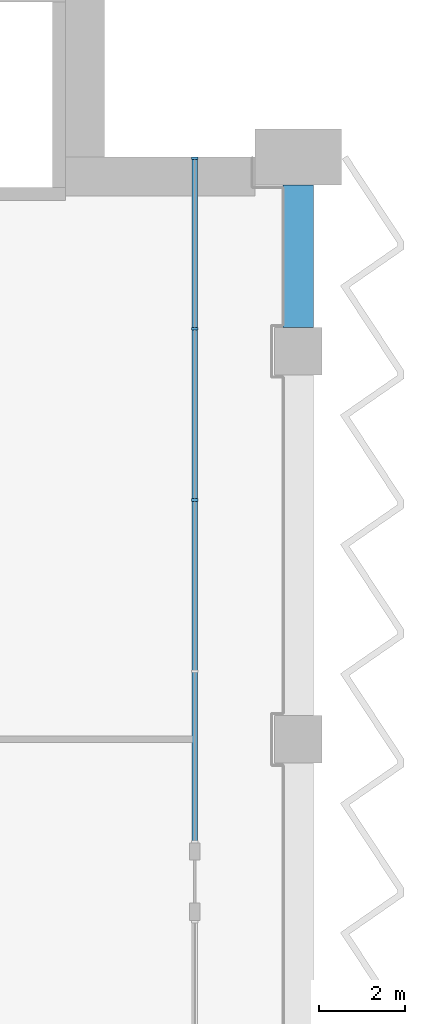
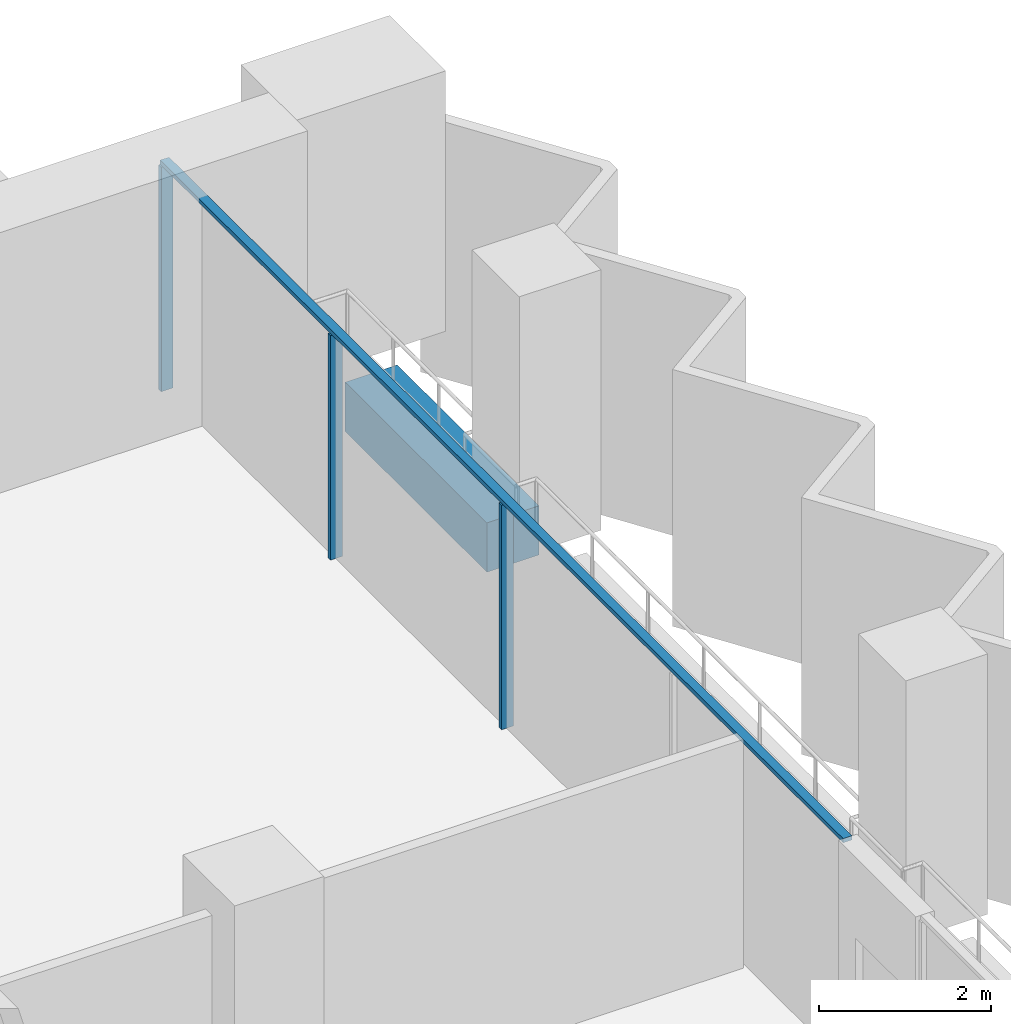
# One storey, part 7 of 22: 4 members, 1 beam, 1 element without a shape of its own.
"""IFC4 building model written with IfcOpenShell, lengths in metres."""

from ifc_helpers import new_model, si_unit, direction, frame, origin, origin_2d, place, context, subcontext, project, spatial, rectangle, extrude, material, material_profile, profile_set, type_object, element, aggregate, save


model = new_model("IFC4")

# Units and contexts
model_context = context("Model", 3, precision=1e-05, world=origin(), true_north=direction((0.0, 1.0)))
body_context = subcontext(model_context, "Body", "Model", "MODEL_VIEW")
ifc_project = project(units=[si_unit("LENGTHUNIT", "METRE"), si_unit("AREAUNIT", "SQUARE_METRE"), si_unit("VOLUMEUNIT", "CUBIC_METRE"), si_unit("PLANEANGLEUNIT", "RADIAN"), si_unit("MASSUNIT", "GRAM", prefix="KILO")], contexts=[model_context])

# Site, building, storey
site_placement = place(None, origin())
site = spatial("IfcSite", under=ifc_project, at=site_placement, CompositionType="ELEMENT")
building_placement = place(site_placement, origin())
building = spatial("IfcBuilding", under=site, at=building_placement, Name="Hunhe Ridgeline Campus", CompositionType="ELEMENT")
storey_placement = place(building_placement, frame((0.0, 0.0, 174.5)))
storey = spatial("IfcBuildingStorey", under=building, at=storey_placement, Name="L44", CompositionType="ELEMENT", Elevation=174.5)

# Curtain wall, members
ifc_material_1 = material(Name="Aluminium 6063", Category="aluminium")
curtain_wall_type = type_object("IfcCurtainWallType", Name="Curtain wall CW-1", PredefinedType="NOTDEFINED", material=ifc_material_1)
curtain_wall_placement = place(storey_placement, origin())
curtain_wall = element("IfcCurtainWall", 1, at=curtain_wall_placement, inside=storey, type_object=curtain_wall_type, Name="Curtain wall 15", PredefinedType="NOTDEFINED")
ifc_material_profile_1 = material_profile(ifc_material_1, rectangle(XDim=0.159912109375, YDim=0.06005859375, at=origin_2d()))
ifc_profile_set_1 = profile_set([ifc_material_profile_1], Name="Aluminium 6063")
member_type_1 = type_object("IfcMemberType", Name="CW-1 aluminium mullion", PredefinedType="MULLION", material=ifc_profile_set_1)
member_1_placement = place(storey_placement, frame((60.59912109375, 86.55029296875, 0.0), z_axis=(0.0, 0.0, 1.0), x_axis=(-1.0, 0.0, 0.0)))
member_1 = element("IfcMember", 2, at=member_1_placement, type_object=member_type_1, Name="CW-1 mullion 3", PredefinedType="MULLION", context=body_context, shape_type="SweptSolid", body=[
    extrude(rectangle(XDim=0.159912109375, YDim=0.06005859375, at=origin_2d()), origin(), (0.0, 0.0, 1.0), 3.18994140625),
])
member_2_placement = place(storey_placement, frame((60.59912109375, 90.525146484375, 0.0), z_axis=(0.0, 0.0, 1.0), x_axis=(-1.0, 0.0, 0.0)))
member_2 = element("IfcMember", 3, at=member_2_placement, type_object=member_type_1, Name="CW-1 mullion 4", PredefinedType="MULLION", context=body_context, shape_type="SweptSolid", body=[
    extrude(rectangle(XDim=0.159912109375, YDim=0.06005859375, at=origin_2d()), origin(), (0.0, 0.0, 1.0), 3.18994140625),
])
member_3_placement = place(storey_placement, frame((60.59912109375, 94.469970703125, 0.0), z_axis=(0.0, 0.0, 1.0), x_axis=(-1.0, 0.0, 0.0)))
member_3 = element("IfcMember", 4, at=member_3_placement, type_object=member_type_1, Name="CW-1 mullion 5", PredefinedType="MULLION", context=body_context, shape_type="SweptSolid", body=[
    extrude(rectangle(XDim=0.159912109375, YDim=0.06005859375, at=origin_2d()), origin(), (0.0, 0.0, 1.0), 3.18994140625),
])
ifc_material_profile_2 = material_profile(ifc_material_1, rectangle(XDim=0.1201171875, YDim=0.06005859375, at=origin_2d()))
ifc_profile_set_2 = profile_set([ifc_material_profile_2], Name="Aluminium 6063")
member_type_2 = type_object("IfcMemberType", Name="CW-1 aluminium transom", PredefinedType="USERDEFINED", material=ifc_profile_set_2)
member_4_placement = place(storey_placement, frame((60.59912109375, 78.6005859375, 3.219970703125), z_axis=(0.0, 1.0, 0.0), x_axis=(-1.0, 0.0, 0.0)))
member_4 = element("IfcMember", 5, at=member_4_placement, type_object=member_type_2, Name="CW-1 transom 1", ObjectType="TRANSOM", PredefinedType="USERDEFINED", context=body_context, shape_type="SweptSolid", body=[
    extrude(rectangle(XDim=0.1201171875, YDim=0.06005859375, at=origin_2d()), origin(), (0.0, 0.0, 1.0), 15.8994140625),
])
aggregate(curtain_wall, [member_4, member_1, member_2, member_3])

# Beam
ifc_material_2 = material(Name="Concrete C60", Category="concrete")
ifc_material_profile_3 = material_profile(ifc_material_2, rectangle(XDim=0.699951171875, YDim=0.699951171875, at=origin_2d()))
ifc_profile_set_3 = profile_set([ifc_material_profile_3], Name="Concrete C60")
beam_type = type_object("IfcBeamType", Name="RC spandrel beam 700x700 Concrete C60", PredefinedType="SPANDREL", material=ifc_profile_set_3)
beam_placement = place(storey_placement, frame((63.0, 90.550048828125, -0.60009765625), z_axis=(0.0, 1.0, 0.0), x_axis=(-1.0, 0.0, 0.0)))
element("IfcBeam", 6, at=beam_placement, inside=storey, type_object=beam_type, Name="Spandrel beam B2-20 L44", PredefinedType="SPANDREL", context=body_context, shape_type="SweptSolid", body=[
    extrude(rectangle(XDim=0.699951171875, YDim=0.699951171875, at=origin_2d()), origin(), (0.0, 0.0, 1.0), 3.300048828125),
])

save(model, "model.ifc")
